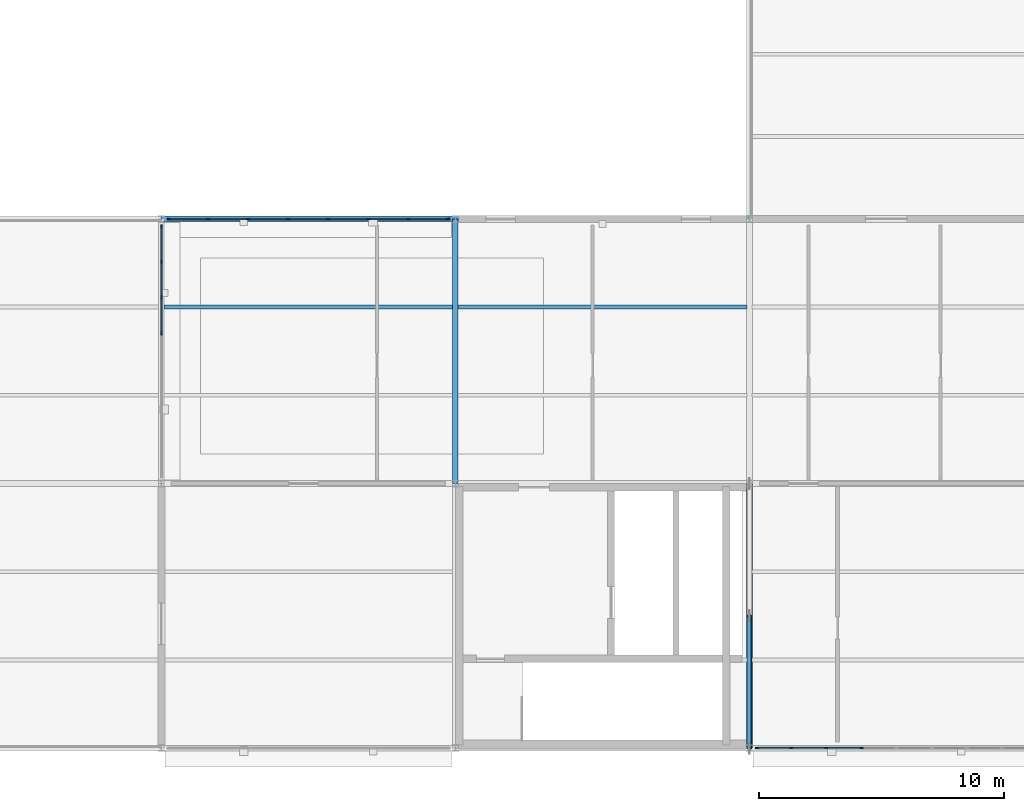
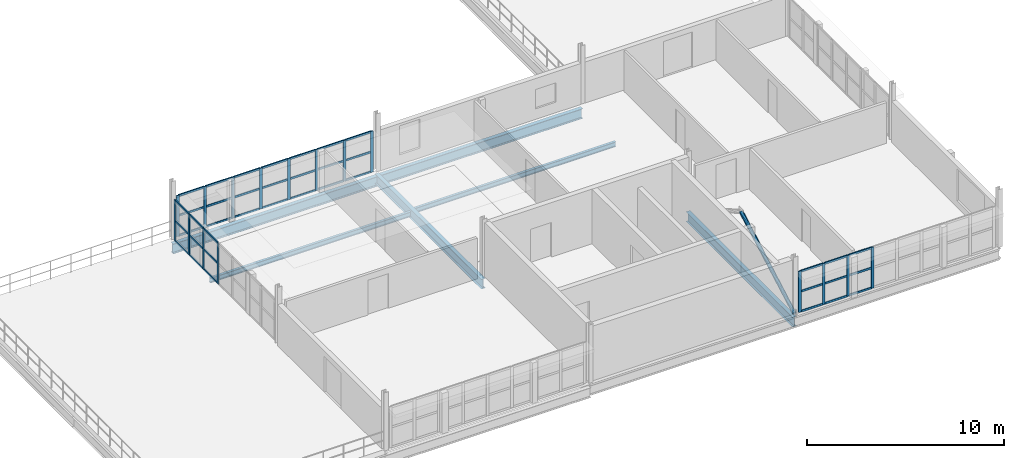
# One storey, part 31 of 62: 56 members, 6 beams, 3 elements without a shape of their own.
"""IFC4 building model written with IfcOpenShell, lengths in metres."""

from ifc_helpers import new_model, si_unit, direction, frame, origin, origin_2d, place, context, subcontext, project, spatial, rectangle, hollow_circle, i_section, extrude, material, layer, layer_set, material_profile, profile_set, type_object, element, aggregate, save


model = new_model("IFC4")

# Units and contexts
model_context = context("Model", 3, precision=1e-05, world=origin(), true_north=direction((0.0, 1.0)))
body_context = subcontext(model_context, "Body", "Model", "MODEL_VIEW")
ifc_project = project(units=[si_unit("LENGTHUNIT", "METRE"), si_unit("AREAUNIT", "SQUARE_METRE"), si_unit("VOLUMEUNIT", "CUBIC_METRE"), si_unit("PLANEANGLEUNIT", "RADIAN"), si_unit("MASSUNIT", "GRAM", prefix="KILO"), si_unit("THERMODYNAMICTEMPERATUREUNIT", "KELVIN"), si_unit("POWERUNIT", "WATT")], contexts=[model_context])

# Site, building, storey
site_placement = place(None, origin())
site = spatial("IfcSite", under=ifc_project, at=site_placement, CompositionType="ELEMENT")
building_placement = place(site_placement, origin())
building = spatial("IfcBuilding", under=site, at=building_placement, Name="Tembeka Court Mobility Hub", CompositionType="ELEMENT")
storey_placement = place(building_placement, frame((0.0, 0.0, 16.199951171875)))
storey = spatial("IfcBuildingStorey", under=building, at=storey_placement, Name="L04", CompositionType="ELEMENT", Elevation=16.199951171875)

# Beams
ifc_material_1 = material(Name="Steel S355", Category="steel")
ifc_material_profile_1 = material_profile(ifc_material_1, i_section(OverallWidth=0.22900390625, OverallDepth=0.612060546875, WebThickness=0.011962890625, FlangeThickness=0.01953125, FilletRadius=0.0126953125, at=origin_2d()), Name="UKB 610x229x125")
ifc_profile_set_1 = profile_set([ifc_material_profile_1], Name="Steel S355")
beam_type_1 = type_object("IfcBeamType", Name="BM-G02", PredefinedType="USERDEFINED", material=ifc_profile_set_1)
for number, where, z_axis, x_axis, name in (
    (1, (140.39990234375, 21.60009765625, -0.6259765625), (1.0, 0.0, 0.0), (0.0, 1.0, 0.0), "Beam G02 (BM-L04-X2218)"),
    (2, (152.39990234375, 21.60009765625, -0.6259765625), (1.0, 0.0, 0.0), (0.0, 1.0, 0.0), "Beam G02 (BM-L04-X2219)"),
):
    element("IfcBeam", number, at=place(storey_placement, frame(where, z_axis=z_axis, x_axis=x_axis)), inside=storey, type_object=beam_type_1, Name=name, ObjectType="GIRDER", PredefinedType="USERDEFINED", context=body_context, shape_type="SweptSolid", body=[
        extrude(i_section(OverallWidth=0.22900390625, OverallDepth=0.612060546875, WebThickness=0.011962890625, FlangeThickness=0.01953125, FilletRadius=0.0126953125, at=origin_2d()), origin(), (0.0, 0.0, 1.0), 12.0),
    ])
for number, where, z_axis, x_axis, name in (
    (3, (152.39990234375, 10.800048828125, -0.495849609375), (0.0, 1.0, 0.0), (-1.0, 0.0, 0.0), "Beam G02 (BM-L04-Y2425)"),
    (4, (164.39990234375, 0.0, -0.495849609375), (0.0, 1.0, 0.0), (-1.0, 0.0, 0.0), "Beam G02 (BM-L04-Y2426)"),
):
    element("IfcBeam", number, at=place(storey_placement, frame(where, z_axis=z_axis, x_axis=x_axis)), inside=storey, type_object=beam_type_1, Name=name, ObjectType="GIRDER", PredefinedType="USERDEFINED", context=body_context, shape_type="SweptSolid", body=[
        extrude(i_section(OverallWidth=0.22900390625, OverallDepth=0.612060546875, WebThickness=0.011962890625, FlangeThickness=0.01953125, FilletRadius=0.0126953125, at=origin_2d()), origin(), (0.0, 0.0, 1.0), 10.800048828125),
    ])
ifc_material_profile_2 = material_profile(ifc_material_1, i_section(OverallWidth=0.14990234375, OverallDepth=0.300048828125, WebThickness=0.007080078125, FlangeThickness=0.0107421875, FilletRadius=0.014892578125, at=origin_2d()), Name="IPE 300")
ifc_profile_set_2 = profile_set([ifc_material_profile_2], Name="Steel S355")
beam_type_2 = type_object("IfcBeamType", Name="BM-J04", PredefinedType="JOIST", material=ifc_profile_set_2)
for number, where, z_axis, x_axis, name in (
    (5, (140.509521484375, 18.0, -0.469970703125), (1.0, 0.0, 0.0), (0.0, 1.0, 0.0), "Beam J04 (JST-L04-2641)"),
    (6, (152.509521484375, 18.0, -0.33984375), (1.0, 0.0, 0.0), (0.0, 1.0, 0.0), "Beam J04 (JST-L04-2644)"),
):
    element("IfcBeam", number, at=place(storey_placement, frame(where, z_axis=z_axis, x_axis=x_axis)), inside=storey, type_object=beam_type_2, Name=name, PredefinedType="JOIST", context=body_context, shape_type="SweptSolid", body=[
        extrude(i_section(OverallWidth=0.14990234375, OverallDepth=0.300048828125, WebThickness=0.007080078125, FlangeThickness=0.0107421875, FilletRadius=0.014892578125, at=origin_2d()), origin(), (0.0, 0.0, 1.0), 11.781005859375),
    ])

# Curtain wall, members
ifc_material_2 = material(Name="Anodised aluminium 6063-T6", Category="aluminium")
ifc_layer_1 = layer(ifc_material_2, 0.159912109375)
ifc_layer_set_1 = layer_set([ifc_layer_1], Name="Anodised aluminium 6063-T6")
curtain_wall_type_1 = type_object("IfcCurtainWallType", Name="CW-SYS41", PredefinedType="USERDEFINED", material=ifc_layer_set_1)
curtain_wall_1_placement = place(storey_placement, origin())
curtain_wall_1 = element("IfcCurtainWall", 7, at=curtain_wall_1_placement, inside=storey, type_object=curtain_wall_type_1, Name="Unitised curtain wall CW41 (CW-L04-145)", ObjectType="UNITISED GLAZING", PredefinedType="USERDEFINED")
ifc_material_profile_3 = material_profile(ifc_material_2, rectangle(XDim=0.06494140625, YDim=0.159912109375, at=origin_2d()), Name="ALU-MUL 65x160")
ifc_profile_set_3 = profile_set([ifc_material_profile_3], Name="Anodised aluminium 6063-T6")
member_type_1 = type_object("IfcMemberType", Name="CW-MUL01", PredefinedType="MULLION", material=ifc_profile_set_3)
member_1_placement = place(storey_placement, frame((164.71240234375, 0.0, 0.0), z_axis=(0.0, 0.0, 1.0), x_axis=(0.0, 1.0, 0.0)))
member_1 = element("IfcMember", 8, at=member_1_placement, type_object=member_type_1, Name="CW41 mullion 1", PredefinedType="MULLION", context=body_context, shape_type="SweptSolid", body=[
    extrude(rectangle(XDim=0.06494140625, YDim=0.159912109375, at=origin_2d()), origin(), (0.0, 0.0, 1.0), 2.53515625),
])
member_2_placement = place(storey_placement, frame((166.110107421875, 0.0, 0.0), z_axis=(0.0, 0.0, 1.0), x_axis=(0.0, 1.0, 0.0)))
member_2 = element("IfcMember", 9, at=member_2_placement, type_object=member_type_1, Name="CW41 mullion 2", PredefinedType="MULLION", context=body_context, shape_type="SweptSolid", body=[
    extrude(rectangle(XDim=0.06494140625, YDim=0.159912109375, at=origin_2d()), origin(), (0.0, 0.0, 1.0), 2.53515625),
])
member_3_placement = place(storey_placement, frame((167.5400390625, 0.0, 0.0), z_axis=(0.0, 0.0, 1.0), x_axis=(0.0, 1.0, 0.0)))
member_3 = element("IfcMember", 10, at=member_3_placement, type_object=member_type_1, Name="CW41 mullion 3", PredefinedType="MULLION", context=body_context, shape_type="SweptSolid", body=[
    extrude(rectangle(XDim=0.06494140625, YDim=0.159912109375, at=origin_2d()), origin(), (0.0, 0.0, 1.0), 2.53515625),
])
member_4_placement = place(storey_placement, frame((168.969970703125, 0.0, 0.0), z_axis=(0.0, 0.0, 1.0), x_axis=(0.0, 1.0, 0.0)))
member_4 = element("IfcMember", 11, at=member_4_placement, type_object=member_type_1, Name="CW41 mullion 4", PredefinedType="MULLION", context=body_context, shape_type="SweptSolid", body=[
    extrude(rectangle(XDim=0.06494140625, YDim=0.159912109375, at=origin_2d()), origin(), (0.0, 0.0, 1.0), 2.53515625),
])

curtain_wall_2_placement = place(storey_placement, origin())
curtain_wall_2 = element("IfcCurtainWall", 12, at=curtain_wall_2_placement, inside=storey, type_object=curtain_wall_type_1, Name="Unitised curtain wall CW41 (CW-L04-147)", ObjectType="UNITISED GLAZING", PredefinedType="USERDEFINED")
member_5_placement = place(storey_placement, frame((140.71240234375, 21.60009765625, 0.0), z_axis=(0.0, 0.0, 1.0), x_axis=(0.0, 1.0, 0.0)))
member_5 = element("IfcMember", 13, at=member_5_placement, type_object=member_type_1, Name="CW41 mullion 1", PredefinedType="MULLION", context=body_context, shape_type="SweptSolid", body=[
    extrude(rectangle(XDim=0.06494140625, YDim=0.159912109375, at=origin_2d()), origin(), (0.0, 0.0, 1.0), 2.53515625),
])
member_6_placement = place(storey_placement, frame((142.314208984375, 21.60009765625, 0.0), z_axis=(0.0, 0.0, 1.0), x_axis=(0.0, 1.0, 0.0)))
member_6 = element("IfcMember", 14, at=member_6_placement, type_object=member_type_1, Name="CW41 mullion 2", PredefinedType="MULLION", context=body_context, shape_type="SweptSolid", body=[
    extrude(rectangle(XDim=0.06494140625, YDim=0.159912109375, at=origin_2d()), origin(), (0.0, 0.0, 1.0), 2.53515625),
])
member_7_placement = place(storey_placement, frame((143.948486328125, 21.60009765625, 0.0), z_axis=(0.0, 0.0, 1.0), x_axis=(0.0, 1.0, 0.0)))
member_7 = element("IfcMember", 15, at=member_7_placement, type_object=member_type_1, Name="CW41 mullion 3", PredefinedType="MULLION", context=body_context, shape_type="SweptSolid", body=[
    extrude(rectangle(XDim=0.06494140625, YDim=0.159912109375, at=origin_2d()), origin(), (0.0, 0.0, 1.0), 2.53515625),
])
member_8_placement = place(storey_placement, frame((145.582763671875, 21.60009765625, 0.0), z_axis=(0.0, 0.0, 1.0), x_axis=(0.0, 1.0, 0.0)))
member_8 = element("IfcMember", 16, at=member_8_placement, type_object=member_type_1, Name="CW41 mullion 4", PredefinedType="MULLION", context=body_context, shape_type="SweptSolid", body=[
    extrude(rectangle(XDim=0.06494140625, YDim=0.159912109375, at=origin_2d()), origin(), (0.0, 0.0, 1.0), 2.53515625),
])
member_9_placement = place(storey_placement, frame((147.217041015625, 21.60009765625, 0.0), z_axis=(0.0, 0.0, 1.0), x_axis=(0.0, 1.0, 0.0)))
member_9 = element("IfcMember", 17, at=member_9_placement, type_object=member_type_1, Name="CW41 mullion 5", PredefinedType="MULLION", context=body_context, shape_type="SweptSolid", body=[
    extrude(rectangle(XDim=0.06494140625, YDim=0.159912109375, at=origin_2d()), origin(), (0.0, 0.0, 1.0), 2.53515625),
])
member_10_placement = place(storey_placement, frame((148.851318359375, 21.60009765625, 0.0), z_axis=(0.0, 0.0, 1.0), x_axis=(0.0, 1.0, 0.0)))
member_10 = element("IfcMember", 18, at=member_10_placement, type_object=member_type_1, Name="CW41 mullion 6", PredefinedType="MULLION", context=body_context, shape_type="SweptSolid", body=[
    extrude(rectangle(XDim=0.06494140625, YDim=0.159912109375, at=origin_2d()), origin(), (0.0, 0.0, 1.0), 2.53515625),
])
member_11_placement = place(storey_placement, frame((150.485595703125, 21.60009765625, 0.0), z_axis=(0.0, 0.0, 1.0), x_axis=(0.0, 1.0, 0.0)))
member_11 = element("IfcMember", 19, at=member_11_placement, type_object=member_type_1, Name="CW41 mullion 7", PredefinedType="MULLION", context=body_context, shape_type="SweptSolid", body=[
    extrude(rectangle(XDim=0.06494140625, YDim=0.159912109375, at=origin_2d()), origin(), (0.0, 0.0, 1.0), 2.53515625),
])
member_12_placement = place(storey_placement, frame((152.08740234375, 21.60009765625, 0.0), z_axis=(0.0, 0.0, 1.0), x_axis=(0.0, 1.0, 0.0)))
member_12 = element("IfcMember", 20, at=member_12_placement, type_object=member_type_1, Name="CW41 mullion 8", PredefinedType="MULLION", context=body_context, shape_type="SweptSolid", body=[
    extrude(rectangle(XDim=0.06494140625, YDim=0.159912109375, at=origin_2d()), origin(), (0.0, 0.0, 1.0), 2.53515625),
])

ifc_layer_2 = layer(ifc_material_2, 0.159912109375)
ifc_layer_set_2 = layer_set([ifc_layer_2], Name="Anodised aluminium 6063-T6")
curtain_wall_type_2 = type_object("IfcCurtainWallType", Name="CW-SYS42", PredefinedType="USERDEFINED", material=ifc_layer_set_2)
curtain_wall_3_placement = place(storey_placement, origin())
curtain_wall_3 = element("IfcCurtainWall", 21, at=curtain_wall_3_placement, inside=storey, type_object=curtain_wall_type_2, Name="Unitised curtain wall CW42 (CW-L04-148)", ObjectType="UNITISED GLAZING", PredefinedType="USERDEFINED")
member_13_placement = place(storey_placement, frame((140.39990234375, 16.931396484375, 0.0), z_axis=(0.0, 0.0, 1.0), x_axis=(-1.0, 0.0, 0.0)))
member_13 = element("IfcMember", 22, at=member_13_placement, type_object=member_type_1, Name="CW42 mullion 5", PredefinedType="MULLION", context=body_context, shape_type="SweptSolid", body=[
    extrude(rectangle(XDim=0.06494140625, YDim=0.159912109375, at=origin_2d()), origin(), (0.0, 0.0, 1.0), 2.53515625),
])
member_14_placement = place(storey_placement, frame((140.39990234375, 18.394287109375, 0.0), z_axis=(0.0, 0.0, 1.0), x_axis=(-1.0, 0.0, 0.0)))
member_14 = element("IfcMember", 23, at=member_14_placement, type_object=member_type_1, Name="CW42 mullion 6", PredefinedType="MULLION", context=body_context, shape_type="SweptSolid", body=[
    extrude(rectangle(XDim=0.06494140625, YDim=0.159912109375, at=origin_2d()), origin(), (0.0, 0.0, 1.0), 2.53515625),
])
member_15_placement = place(storey_placement, frame((140.39990234375, 19.857177734375, 0.0), z_axis=(0.0, 0.0, 1.0), x_axis=(-1.0, 0.0, 0.0)))
member_15 = element("IfcMember", 24, at=member_15_placement, type_object=member_type_1, Name="CW42 mullion 7", PredefinedType="MULLION", context=body_context, shape_type="SweptSolid", body=[
    extrude(rectangle(XDim=0.06494140625, YDim=0.159912109375, at=origin_2d()), origin(), (0.0, 0.0, 1.0), 2.53515625),
])
member_16_placement = place(storey_placement, frame((140.39990234375, 21.28759765625, 0.0), z_axis=(0.0, 0.0, 1.0), x_axis=(-1.0, 0.0, 0.0)))
member_16 = element("IfcMember", 25, at=member_16_placement, type_object=member_type_1, Name="CW42 mullion 8", PredefinedType="MULLION", context=body_context, shape_type="SweptSolid", body=[
    extrude(rectangle(XDim=0.06494140625, YDim=0.159912109375, at=origin_2d()), origin(), (0.0, 0.0, 1.0), 2.53515625),
])

# Member
ifc_material_profile_4 = material_profile(ifc_material_2, rectangle(XDim=0.06494140625, YDim=0.1201171875, at=origin_2d()), Name="ALU-TRN 65x120")
ifc_profile_set_4 = profile_set([ifc_material_profile_4], Name="Anodised aluminium 6063-T6")
member_type_2 = type_object("IfcMemberType", Name="CW-TRN01", PredefinedType="USERDEFINED", material=ifc_profile_set_4)
member_17_placement = place(storey_placement, frame((164.7451171875, 0.0, 0.032470703125), z_axis=(1.0, 0.0, 0.0), x_axis=(0.0, 1.0, 0.0)))
member_17 = element("IfcMember", 26, at=member_17_placement, type_object=member_type_2, Name="CW41 transom 1.1", ObjectType="TRANSOM", PredefinedType="USERDEFINED", context=body_context, shape_type="SweptSolid", body=[
    extrude(rectangle(XDim=0.06494140625, YDim=0.1201171875, at=origin_2d()), origin(), (0.0, 0.0, 1.0), 1.332275390625),
])

member_18_placement = place(storey_placement, frame((164.7451171875, 0.0, 1.267578125), z_axis=(1.0, 0.0, 0.0), x_axis=(0.0, 1.0, 0.0)))
member_18 = element("IfcMember", 27, at=member_18_placement, type_object=member_type_2, Name="CW41 transom 1.2", ObjectType="TRANSOM", PredefinedType="USERDEFINED", context=body_context, shape_type="SweptSolid", body=[
    extrude(rectangle(XDim=0.06494140625, YDim=0.1201171875, at=origin_2d()), origin(), (0.0, 0.0, 1.0), 1.332275390625),
])

member_19_placement = place(storey_placement, frame((164.7451171875, 0.0, 2.50244140625), z_axis=(1.0, 0.0, 0.0), x_axis=(0.0, 1.0, 0.0)))
member_19 = element("IfcMember", 28, at=member_19_placement, type_object=member_type_2, Name="CW41 transom 1.3", ObjectType="TRANSOM", PredefinedType="USERDEFINED", context=body_context, shape_type="SweptSolid", body=[
    extrude(rectangle(XDim=0.06494140625, YDim=0.1201171875, at=origin_2d()), origin(), (0.0, 0.0, 1.0), 1.332275390625),
])

member_20_placement = place(storey_placement, frame((166.142578125, 0.0, 0.032470703125), z_axis=(1.0, 0.0, 0.0), x_axis=(0.0, 1.0, 0.0)))
member_20 = element("IfcMember", 29, at=member_20_placement, type_object=member_type_2, Name="CW41 transom 2.1", ObjectType="TRANSOM", PredefinedType="USERDEFINED", context=body_context, shape_type="SweptSolid", body=[
    extrude(rectangle(XDim=0.06494140625, YDim=0.1201171875, at=origin_2d()), origin(), (0.0, 0.0, 1.0), 1.364990234375),
])

member_21_placement = place(storey_placement, frame((166.142578125, 0.0, 1.267578125), z_axis=(1.0, 0.0, 0.0), x_axis=(0.0, 1.0, 0.0)))
member_21 = element("IfcMember", 30, at=member_21_placement, type_object=member_type_2, Name="CW41 transom 2.2", ObjectType="TRANSOM", PredefinedType="USERDEFINED", context=body_context, shape_type="SweptSolid", body=[
    extrude(rectangle(XDim=0.06494140625, YDim=0.1201171875, at=origin_2d()), origin(), (0.0, 0.0, 1.0), 1.364990234375),
])

member_22_placement = place(storey_placement, frame((166.142578125, 0.0, 2.50244140625), z_axis=(1.0, 0.0, 0.0), x_axis=(0.0, 1.0, 0.0)))
member_22 = element("IfcMember", 31, at=member_22_placement, type_object=member_type_2, Name="CW41 transom 2.3", ObjectType="TRANSOM", PredefinedType="USERDEFINED", context=body_context, shape_type="SweptSolid", body=[
    extrude(rectangle(XDim=0.06494140625, YDim=0.1201171875, at=origin_2d()), origin(), (0.0, 0.0, 1.0), 1.364990234375),
])

member_23_placement = place(storey_placement, frame((167.572509765625, 0.0, 0.032470703125), z_axis=(1.0, 0.0, 0.0), x_axis=(0.0, 1.0, 0.0)))
member_23 = element("IfcMember", 32, at=member_23_placement, type_object=member_type_2, Name="CW41 transom 3.1", ObjectType="TRANSOM", PredefinedType="USERDEFINED", context=body_context, shape_type="SweptSolid", body=[
    extrude(rectangle(XDim=0.06494140625, YDim=0.1201171875, at=origin_2d()), origin(), (0.0, 0.0, 1.0), 1.364990234375),
])

member_24_placement = place(storey_placement, frame((167.572509765625, 0.0, 1.267578125), z_axis=(1.0, 0.0, 0.0), x_axis=(0.0, 1.0, 0.0)))
member_24 = element("IfcMember", 33, at=member_24_placement, type_object=member_type_2, Name="CW41 transom 3.2", ObjectType="TRANSOM", PredefinedType="USERDEFINED", context=body_context, shape_type="SweptSolid", body=[
    extrude(rectangle(XDim=0.06494140625, YDim=0.1201171875, at=origin_2d()), origin(), (0.0, 0.0, 1.0), 1.364990234375),
])

member_25_placement = place(storey_placement, frame((167.572509765625, 0.0, 2.50244140625), z_axis=(1.0, 0.0, 0.0), x_axis=(0.0, 1.0, 0.0)))
member_25 = element("IfcMember", 34, at=member_25_placement, type_object=member_type_2, Name="CW41 transom 3.3", ObjectType="TRANSOM", PredefinedType="USERDEFINED", context=body_context, shape_type="SweptSolid", body=[
    extrude(rectangle(XDim=0.06494140625, YDim=0.1201171875, at=origin_2d()), origin(), (0.0, 0.0, 1.0), 1.364990234375),
])

aggregate(curtain_wall_1, [member_1, member_2, member_3, member_4, member_17, member_18, member_19, member_20, member_21, member_22, member_23, member_24, member_25])

member_26_placement = place(storey_placement, frame((140.7451171875, 21.60009765625, 0.032470703125), z_axis=(1.0, 0.0, 0.0), x_axis=(0.0, 1.0, 0.0)))
member_26 = element("IfcMember", 35, at=member_26_placement, type_object=member_type_2, Name="CW41 transom 1.1", ObjectType="TRANSOM", PredefinedType="USERDEFINED", context=body_context, shape_type="SweptSolid", body=[
    extrude(rectangle(XDim=0.06494140625, YDim=0.1201171875, at=origin_2d()), origin(), (0.0, 0.0, 1.0), 1.53662109375),
])

member_27_placement = place(storey_placement, frame((140.7451171875, 21.60009765625, 1.267578125), z_axis=(1.0, 0.0, 0.0), x_axis=(0.0, 1.0, 0.0)))
member_27 = element("IfcMember", 36, at=member_27_placement, type_object=member_type_2, Name="CW41 transom 1.2", ObjectType="TRANSOM", PredefinedType="USERDEFINED", context=body_context, shape_type="SweptSolid", body=[
    extrude(rectangle(XDim=0.06494140625, YDim=0.1201171875, at=origin_2d()), origin(), (0.0, 0.0, 1.0), 1.53662109375),
])

member_28_placement = place(storey_placement, frame((140.7451171875, 21.60009765625, 2.50244140625), z_axis=(1.0, 0.0, 0.0), x_axis=(0.0, 1.0, 0.0)))
member_28 = element("IfcMember", 37, at=member_28_placement, type_object=member_type_2, Name="CW41 transom 1.3", ObjectType="TRANSOM", PredefinedType="USERDEFINED", context=body_context, shape_type="SweptSolid", body=[
    extrude(rectangle(XDim=0.06494140625, YDim=0.1201171875, at=origin_2d()), origin(), (0.0, 0.0, 1.0), 1.53662109375),
])

member_29_placement = place(storey_placement, frame((142.3466796875, 21.60009765625, 0.032470703125), z_axis=(1.0, 0.0, 0.0), x_axis=(0.0, 1.0, 0.0)))
member_29 = element("IfcMember", 38, at=member_29_placement, type_object=member_type_2, Name="CW41 transom 2.1", ObjectType="TRANSOM", PredefinedType="USERDEFINED", context=body_context, shape_type="SweptSolid", body=[
    extrude(rectangle(XDim=0.06494140625, YDim=0.1201171875, at=origin_2d()), origin(), (0.0, 0.0, 1.0), 1.5693359375),
])

member_30_placement = place(storey_placement, frame((142.3466796875, 21.60009765625, 1.267578125), z_axis=(1.0, 0.0, 0.0), x_axis=(0.0, 1.0, 0.0)))
member_30 = element("IfcMember", 39, at=member_30_placement, type_object=member_type_2, Name="CW41 transom 2.2", ObjectType="TRANSOM", PredefinedType="USERDEFINED", context=body_context, shape_type="SweptSolid", body=[
    extrude(rectangle(XDim=0.06494140625, YDim=0.1201171875, at=origin_2d()), origin(), (0.0, 0.0, 1.0), 1.5693359375),
])

member_31_placement = place(storey_placement, frame((142.3466796875, 21.60009765625, 2.50244140625), z_axis=(1.0, 0.0, 0.0), x_axis=(0.0, 1.0, 0.0)))
member_31 = element("IfcMember", 40, at=member_31_placement, type_object=member_type_2, Name="CW41 transom 2.3", ObjectType="TRANSOM", PredefinedType="USERDEFINED", context=body_context, shape_type="SweptSolid", body=[
    extrude(rectangle(XDim=0.06494140625, YDim=0.1201171875, at=origin_2d()), origin(), (0.0, 0.0, 1.0), 1.5693359375),
])

member_32_placement = place(storey_placement, frame((143.98095703125, 21.60009765625, 0.032470703125), z_axis=(1.0, 0.0, 0.0), x_axis=(0.0, 1.0, 0.0)))
member_32 = element("IfcMember", 41, at=member_32_placement, type_object=member_type_2, Name="CW41 transom 3.1", ObjectType="TRANSOM", PredefinedType="USERDEFINED", context=body_context, shape_type="SweptSolid", body=[
    extrude(rectangle(XDim=0.06494140625, YDim=0.1201171875, at=origin_2d()), origin(), (0.0, 0.0, 1.0), 1.5693359375),
])

member_33_placement = place(storey_placement, frame((143.98095703125, 21.60009765625, 1.267578125), z_axis=(1.0, 0.0, 0.0), x_axis=(0.0, 1.0, 0.0)))
member_33 = element("IfcMember", 42, at=member_33_placement, type_object=member_type_2, Name="CW41 transom 3.2", ObjectType="TRANSOM", PredefinedType="USERDEFINED", context=body_context, shape_type="SweptSolid", body=[
    extrude(rectangle(XDim=0.06494140625, YDim=0.1201171875, at=origin_2d()), origin(), (0.0, 0.0, 1.0), 1.5693359375),
])

member_34_placement = place(storey_placement, frame((143.98095703125, 21.60009765625, 2.50244140625), z_axis=(1.0, 0.0, 0.0), x_axis=(0.0, 1.0, 0.0)))
member_34 = element("IfcMember", 43, at=member_34_placement, type_object=member_type_2, Name="CW41 transom 3.3", ObjectType="TRANSOM", PredefinedType="USERDEFINED", context=body_context, shape_type="SweptSolid", body=[
    extrude(rectangle(XDim=0.06494140625, YDim=0.1201171875, at=origin_2d()), origin(), (0.0, 0.0, 1.0), 1.5693359375),
])

member_35_placement = place(storey_placement, frame((145.615478515625, 21.60009765625, 0.032470703125), z_axis=(1.0, 0.0, 0.0), x_axis=(0.0, 1.0, 0.0)))
member_35 = element("IfcMember", 44, at=member_35_placement, type_object=member_type_2, Name="CW41 transom 4.1", ObjectType="TRANSOM", PredefinedType="USERDEFINED", context=body_context, shape_type="SweptSolid", body=[
    extrude(rectangle(XDim=0.06494140625, YDim=0.1201171875, at=origin_2d()), origin(), (0.0, 0.0, 1.0), 1.569091796875),
])

member_36_placement = place(storey_placement, frame((145.615478515625, 21.60009765625, 1.267578125), z_axis=(1.0, 0.0, 0.0), x_axis=(0.0, 1.0, 0.0)))
member_36 = element("IfcMember", 45, at=member_36_placement, type_object=member_type_2, Name="CW41 transom 4.2", ObjectType="TRANSOM", PredefinedType="USERDEFINED", context=body_context, shape_type="SweptSolid", body=[
    extrude(rectangle(XDim=0.06494140625, YDim=0.1201171875, at=origin_2d()), origin(), (0.0, 0.0, 1.0), 1.569091796875),
])

member_37_placement = place(storey_placement, frame((145.615478515625, 21.60009765625, 2.50244140625), z_axis=(1.0, 0.0, 0.0), x_axis=(0.0, 1.0, 0.0)))
member_37 = element("IfcMember", 46, at=member_37_placement, type_object=member_type_2, Name="CW41 transom 4.3", ObjectType="TRANSOM", PredefinedType="USERDEFINED", context=body_context, shape_type="SweptSolid", body=[
    extrude(rectangle(XDim=0.06494140625, YDim=0.1201171875, at=origin_2d()), origin(), (0.0, 0.0, 1.0), 1.569091796875),
])

member_38_placement = place(storey_placement, frame((147.249755859375, 21.60009765625, 0.032470703125), z_axis=(1.0, 0.0, 0.0), x_axis=(0.0, 1.0, 0.0)))
member_38 = element("IfcMember", 47, at=member_38_placement, type_object=member_type_2, Name="CW41 transom 5.1", ObjectType="TRANSOM", PredefinedType="USERDEFINED", context=body_context, shape_type="SweptSolid", body=[
    extrude(rectangle(XDim=0.06494140625, YDim=0.1201171875, at=origin_2d()), origin(), (0.0, 0.0, 1.0), 1.569091796875),
])

member_39_placement = place(storey_placement, frame((147.249755859375, 21.60009765625, 1.267578125), z_axis=(1.0, 0.0, 0.0), x_axis=(0.0, 1.0, 0.0)))
member_39 = element("IfcMember", 48, at=member_39_placement, type_object=member_type_2, Name="CW41 transom 5.2", ObjectType="TRANSOM", PredefinedType="USERDEFINED", context=body_context, shape_type="SweptSolid", body=[
    extrude(rectangle(XDim=0.06494140625, YDim=0.1201171875, at=origin_2d()), origin(), (0.0, 0.0, 1.0), 1.569091796875),
])

member_40_placement = place(storey_placement, frame((147.249755859375, 21.60009765625, 2.50244140625), z_axis=(1.0, 0.0, 0.0), x_axis=(0.0, 1.0, 0.0)))
member_40 = element("IfcMember", 49, at=member_40_placement, type_object=member_type_2, Name="CW41 transom 5.3", ObjectType="TRANSOM", PredefinedType="USERDEFINED", context=body_context, shape_type="SweptSolid", body=[
    extrude(rectangle(XDim=0.06494140625, YDim=0.1201171875, at=origin_2d()), origin(), (0.0, 0.0, 1.0), 1.569091796875),
])

member_41_placement = place(storey_placement, frame((148.884033203125, 21.60009765625, 0.032470703125), z_axis=(1.0, 0.0, 0.0), x_axis=(0.0, 1.0, 0.0)))
member_41 = element("IfcMember", 50, at=member_41_placement, type_object=member_type_2, Name="CW41 transom 6.1", ObjectType="TRANSOM", PredefinedType="USERDEFINED", context=body_context, shape_type="SweptSolid", body=[
    extrude(rectangle(XDim=0.06494140625, YDim=0.1201171875, at=origin_2d()), origin(), (0.0, 0.0, 1.0), 1.569091796875),
])

member_42_placement = place(storey_placement, frame((148.884033203125, 21.60009765625, 1.267578125), z_axis=(1.0, 0.0, 0.0), x_axis=(0.0, 1.0, 0.0)))
member_42 = element("IfcMember", 51, at=member_42_placement, type_object=member_type_2, Name="CW41 transom 6.2", ObjectType="TRANSOM", PredefinedType="USERDEFINED", context=body_context, shape_type="SweptSolid", body=[
    extrude(rectangle(XDim=0.06494140625, YDim=0.1201171875, at=origin_2d()), origin(), (0.0, 0.0, 1.0), 1.569091796875),
])

member_43_placement = place(storey_placement, frame((148.884033203125, 21.60009765625, 2.50244140625), z_axis=(1.0, 0.0, 0.0), x_axis=(0.0, 1.0, 0.0)))
member_43 = element("IfcMember", 52, at=member_43_placement, type_object=member_type_2, Name="CW41 transom 6.3", ObjectType="TRANSOM", PredefinedType="USERDEFINED", context=body_context, shape_type="SweptSolid", body=[
    extrude(rectangle(XDim=0.06494140625, YDim=0.1201171875, at=origin_2d()), origin(), (0.0, 0.0, 1.0), 1.569091796875),
])

member_44_placement = place(storey_placement, frame((150.518310546875, 21.60009765625, 0.032470703125), z_axis=(1.0, 0.0, 0.0), x_axis=(0.0, 1.0, 0.0)))
member_44 = element("IfcMember", 53, at=member_44_placement, type_object=member_type_2, Name="CW41 transom 7.1", ObjectType="TRANSOM", PredefinedType="USERDEFINED", context=body_context, shape_type="SweptSolid", body=[
    extrude(rectangle(XDim=0.06494140625, YDim=0.1201171875, at=origin_2d()), origin(), (0.0, 0.0, 1.0), 1.53662109375),
])

member_45_placement = place(storey_placement, frame((150.518310546875, 21.60009765625, 1.267578125), z_axis=(1.0, 0.0, 0.0), x_axis=(0.0, 1.0, 0.0)))
member_45 = element("IfcMember", 54, at=member_45_placement, type_object=member_type_2, Name="CW41 transom 7.2", ObjectType="TRANSOM", PredefinedType="USERDEFINED", context=body_context, shape_type="SweptSolid", body=[
    extrude(rectangle(XDim=0.06494140625, YDim=0.1201171875, at=origin_2d()), origin(), (0.0, 0.0, 1.0), 1.53662109375),
])

member_46_placement = place(storey_placement, frame((150.518310546875, 21.60009765625, 2.50244140625), z_axis=(1.0, 0.0, 0.0), x_axis=(0.0, 1.0, 0.0)))
member_46 = element("IfcMember", 55, at=member_46_placement, type_object=member_type_2, Name="CW41 transom 7.3", ObjectType="TRANSOM", PredefinedType="USERDEFINED", context=body_context, shape_type="SweptSolid", body=[
    extrude(rectangle(XDim=0.06494140625, YDim=0.1201171875, at=origin_2d()), origin(), (0.0, 0.0, 1.0), 1.53662109375),
])

aggregate(curtain_wall_2, [member_5, member_6, member_7, member_8, member_9, member_10, member_11, member_12, member_26, member_27, member_28, member_29, member_30, member_31, member_32, member_33, member_34, member_35, member_36, member_37, member_38, member_39, member_40, member_41, member_42, member_43, member_44, member_45, member_46])

member_47_placement = place(storey_placement, frame((140.39990234375, 16.9638671875, 0.032470703125), z_axis=(0.0, 1.0, 0.0), x_axis=(-1.0, 0.0, 0.0)))
member_47 = element("IfcMember", 56, at=member_47_placement, type_object=member_type_2, Name="CW42 transom 5.1", ObjectType="TRANSOM", PredefinedType="USERDEFINED", context=body_context, shape_type="SweptSolid", body=[
    extrude(rectangle(XDim=0.06494140625, YDim=0.1201171875, at=origin_2d()), origin(), (0.0, 0.0, 1.0), 1.39794921875),
])

member_48_placement = place(storey_placement, frame((140.39990234375, 16.9638671875, 1.267578125), z_axis=(0.0, 1.0, 0.0), x_axis=(-1.0, 0.0, 0.0)))
member_48 = element("IfcMember", 57, at=member_48_placement, type_object=member_type_2, Name="CW42 transom 5.2", ObjectType="TRANSOM", PredefinedType="USERDEFINED", context=body_context, shape_type="SweptSolid", body=[
    extrude(rectangle(XDim=0.06494140625, YDim=0.1201171875, at=origin_2d()), origin(), (0.0, 0.0, 1.0), 1.39794921875),
])

member_49_placement = place(storey_placement, frame((140.39990234375, 16.9638671875, 2.50244140625), z_axis=(0.0, 1.0, 0.0), x_axis=(-1.0, 0.0, 0.0)))
member_49 = element("IfcMember", 58, at=member_49_placement, type_object=member_type_2, Name="CW42 transom 5.3", ObjectType="TRANSOM", PredefinedType="USERDEFINED", context=body_context, shape_type="SweptSolid", body=[
    extrude(rectangle(XDim=0.06494140625, YDim=0.1201171875, at=origin_2d()), origin(), (0.0, 0.0, 1.0), 1.39794921875),
])

member_50_placement = place(storey_placement, frame((140.39990234375, 18.4267578125, 0.032470703125), z_axis=(0.0, 1.0, 0.0), x_axis=(-1.0, 0.0, 0.0)))
member_50 = element("IfcMember", 59, at=member_50_placement, type_object=member_type_2, Name="CW42 transom 6.1", ObjectType="TRANSOM", PredefinedType="USERDEFINED", context=body_context, shape_type="SweptSolid", body=[
    extrude(rectangle(XDim=0.06494140625, YDim=0.1201171875, at=origin_2d()), origin(), (0.0, 0.0, 1.0), 1.39794921875),
])

member_51_placement = place(storey_placement, frame((140.39990234375, 18.4267578125, 1.267578125), z_axis=(0.0, 1.0, 0.0), x_axis=(-1.0, 0.0, 0.0)))
member_51 = element("IfcMember", 60, at=member_51_placement, type_object=member_type_2, Name="CW42 transom 6.2", ObjectType="TRANSOM", PredefinedType="USERDEFINED", context=body_context, shape_type="SweptSolid", body=[
    extrude(rectangle(XDim=0.06494140625, YDim=0.1201171875, at=origin_2d()), origin(), (0.0, 0.0, 1.0), 1.39794921875),
])

member_52_placement = place(storey_placement, frame((140.39990234375, 18.4267578125, 2.50244140625), z_axis=(0.0, 1.0, 0.0), x_axis=(-1.0, 0.0, 0.0)))
member_52 = element("IfcMember", 61, at=member_52_placement, type_object=member_type_2, Name="CW42 transom 6.3", ObjectType="TRANSOM", PredefinedType="USERDEFINED", context=body_context, shape_type="SweptSolid", body=[
    extrude(rectangle(XDim=0.06494140625, YDim=0.1201171875, at=origin_2d()), origin(), (0.0, 0.0, 1.0), 1.39794921875),
])

member_53_placement = place(storey_placement, frame((140.39990234375, 19.8896484375, 0.032470703125), z_axis=(0.0, 1.0, 0.0), x_axis=(-1.0, 0.0, 0.0)))
member_53 = element("IfcMember", 62, at=member_53_placement, type_object=member_type_2, Name="CW42 transom 7.1", ObjectType="TRANSOM", PredefinedType="USERDEFINED", context=body_context, shape_type="SweptSolid", body=[
    extrude(rectangle(XDim=0.06494140625, YDim=0.1201171875, at=origin_2d()), origin(), (0.0, 0.0, 1.0), 1.365234375),
])

member_54_placement = place(storey_placement, frame((140.39990234375, 19.8896484375, 1.267578125), z_axis=(0.0, 1.0, 0.0), x_axis=(-1.0, 0.0, 0.0)))
member_54 = element("IfcMember", 63, at=member_54_placement, type_object=member_type_2, Name="CW42 transom 7.2", ObjectType="TRANSOM", PredefinedType="USERDEFINED", context=body_context, shape_type="SweptSolid", body=[
    extrude(rectangle(XDim=0.06494140625, YDim=0.1201171875, at=origin_2d()), origin(), (0.0, 0.0, 1.0), 1.365234375),
])

member_55_placement = place(storey_placement, frame((140.39990234375, 19.8896484375, 2.50244140625), z_axis=(0.0, 1.0, 0.0), x_axis=(-1.0, 0.0, 0.0)))
member_55 = element("IfcMember", 64, at=member_55_placement, type_object=member_type_2, Name="CW42 transom 7.3", ObjectType="TRANSOM", PredefinedType="USERDEFINED", context=body_context, shape_type="SweptSolid", body=[
    extrude(rectangle(XDim=0.06494140625, YDim=0.1201171875, at=origin_2d()), origin(), (0.0, 0.0, 1.0), 1.365234375),
])

aggregate(curtain_wall_3, [member_13, member_14, member_15, member_16, member_47, member_48, member_49, member_50, member_51, member_52, member_53, member_54, member_55])

ifc_material_profile_5 = material_profile(ifc_material_1, hollow_circle(Radius=0.109619140625, WallThickness=0.010009765625, at=origin_2d()), Name="CHS 219.1x10")
ifc_profile_set_5 = profile_set([ifc_material_profile_5], Name="Steel S355")
member_type_3 = type_object("IfcMemberType", Name="MEM-BR01", PredefinedType="BRACE", material=ifc_profile_set_5)
member_56_placement = place(storey_placement, frame((164.39990234375, 0.0, 0.02001953125), z_axis=(0.0, 0.872086818054, 0.489351184505), x_axis=(-1.0, 0.0, 0.0)))
element("IfcMember", 65, at=member_56_placement, inside=storey, type_object=member_type_3, Name="Steel chevron brace BR01 (L04-18A)", PredefinedType="BRACE", context=body_context, shape_type="SweptSolid", body=[
    extrude(hollow_circle(Radius=0.109619140625, WallThickness=0.010009765625, at=origin_2d()), origin(), (0.0, 0.0, 1.0), 6.19189453125),
])

save(model, "model.ifc")
